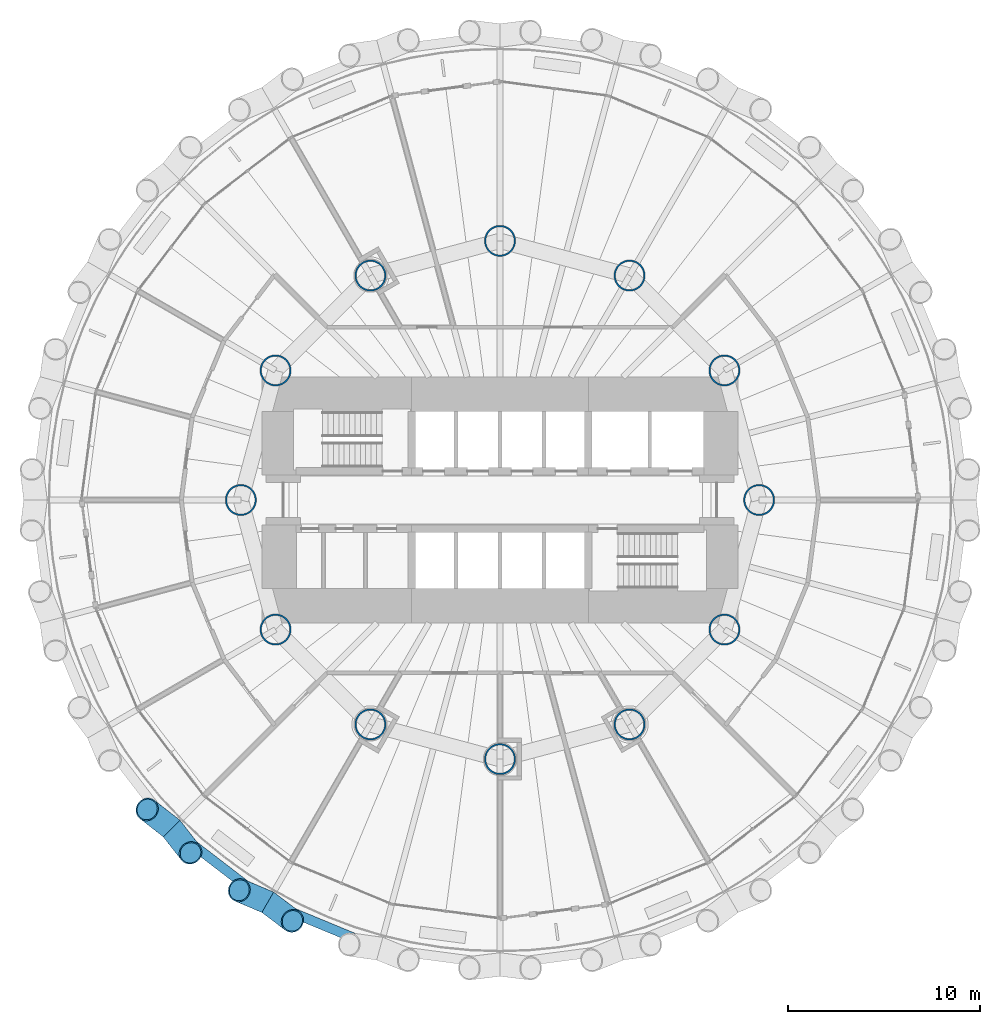
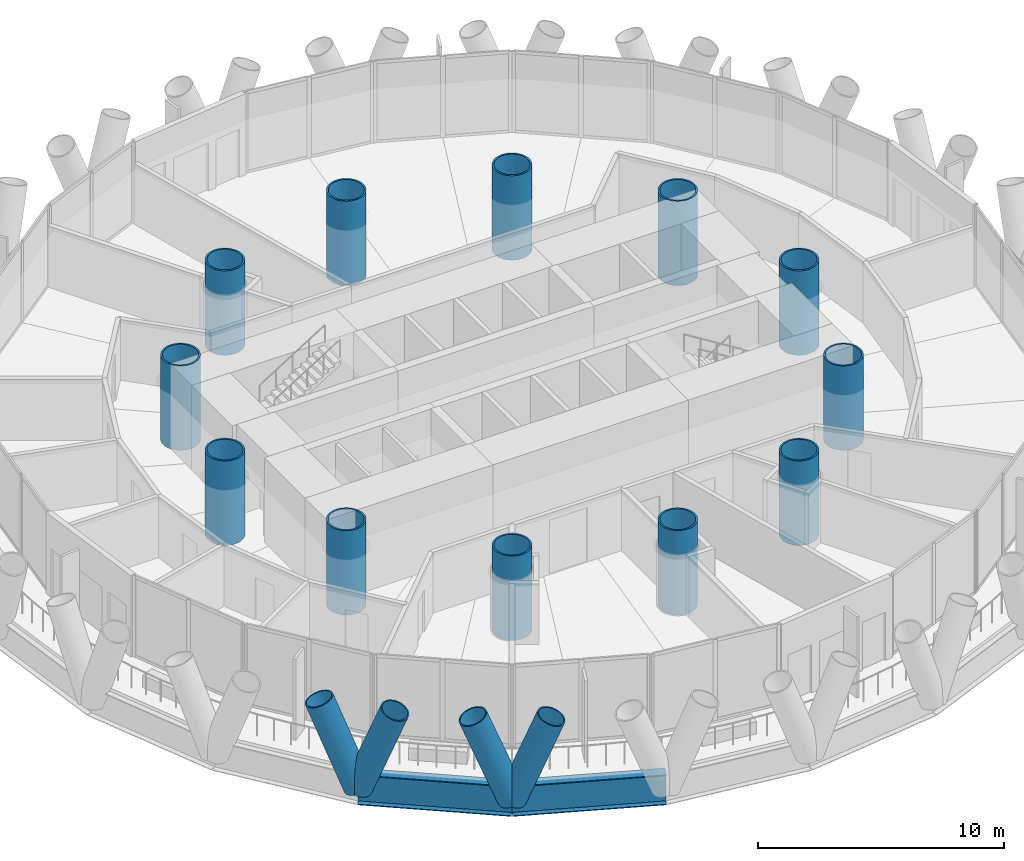
# One storey, part 1 of 16: 12 columns, 4 members, 2 beams.
"""IFC4 building model written with IfcOpenShell, lengths in metres."""

from ifc_helpers import new_model, si_unit, direction, frame, origin, origin_2d, place, context, subcontext, project, spatial, hollow_circle, i_section, extrude, material, material_profile, profile_set, type_object, element, save


model = new_model("IFC4")

# Units and contexts
model_context = context("Model", 3, precision=1e-05, world=origin(), true_north=direction((0.0, 1.0)))
body_context = subcontext(model_context, "Body", "Model", "MODEL_VIEW")
ifc_project = project(units=[si_unit("LENGTHUNIT", "METRE"), si_unit("AREAUNIT", "SQUARE_METRE"), si_unit("VOLUMEUNIT", "CUBIC_METRE"), si_unit("PLANEANGLEUNIT", "RADIAN"), si_unit("MASSUNIT", "GRAM", prefix="KILO")], contexts=[model_context])

# Site, building, storey
site_placement = place(None, origin())
site = spatial("IfcSite", under=ifc_project, at=site_placement, CompositionType="ELEMENT")
building_placement = place(site_placement, origin())
building = spatial("IfcBuilding", under=site, at=building_placement, Name="Qaws Media Tower", CompositionType="ELEMENT")
storey_placement = place(building_placement, frame((0.0, 0.0, 42.800048828125)))
storey = spatial("IfcBuildingStorey", under=building, at=storey_placement, Name="L08", CompositionType="ELEMENT", Elevation=42.800048828125)

# Columns
ifc_material_1 = material(Name="Steel S460", Category="steel")
ifc_material_profile_1 = material_profile(ifc_material_1, hollow_circle(Radius=0.81298828125, WallThickness=0.080078125, at=origin_2d()), Name="CHS 1626x80")
ifc_profile_set_1 = profile_set([ifc_material_profile_1], Name="Steel S460")
column_type = type_object("IfcColumnType", Name="Inner column CHS 1626x80", PredefinedType="COLUMN", material=ifc_profile_set_1)
for number, where, z_axis, x_axis, name in (
    (1, (73.5, 50.0, 0.0), (0.0, 0.0, 1.0), (1.0, 0.0, 0.0), "C6 inner column I01 L08"),
    (2, (71.69140625, 56.75, 0.0), (0.0, 0.0, 1.0), (1.0, 0.0, 0.0), "C6 inner column I02 L08"),
    (3, (66.75, 61.69140625, 0.0), (0.0, 0.0, 1.0), (1.0, 0.0, 0.0), "C6 inner column I03 L08"),
    (4, (60.0, 63.5, 0.0), (0.0, 0.0, 1.0), (1.0, 0.0, 0.0), "C6 inner column I04 L08"),
    (5, (53.25, 61.69140625, 0.0), (0.0, 0.0, 1.0), (1.0, 0.0, 0.0), "C6 inner column I05 L08"),
    (6, (48.30859375, 56.75, 0.0), (0.0, 0.0, 1.0), (1.0, 0.0, 0.0), "C6 inner column I06 L08"),
    (7, (46.5, 50.0, 0.0), (0.0, 0.0, 1.0), (1.0, 0.0, 0.0), "C6 inner column I07 L08"),
    (8, (48.30859375, 43.25, 0.0), (0.0, 0.0, 1.0), (1.0, 0.0, 0.0), "C6 inner column I08 L08"),
    (9, (53.25, 38.30859375, 0.0), (0.0, 0.0, 1.0), (1.0, 0.0, 0.0), "C6 inner column I09 L08"),
    (10, (60.0, 36.5, 0.0), (0.0, 0.0, 1.0), (1.0, 0.0, 0.0), "C6 inner column I10 L08"),
    (11, (66.75, 38.30859375, 0.0), (0.0, 0.0, 1.0), (1.0, 0.0, 0.0), "C6 inner column I11 L08"),
    (12, (71.69140625, 43.25, 0.0), (0.0, 0.0, 1.0), (1.0, 0.0, 0.0), "C6 inner column I12 L08"),
):
    element("IfcColumn", number, at=place(storey_placement, frame(where, z_axis=z_axis, x_axis=x_axis)), inside=storey, type_object=column_type, Name=name, PredefinedType="COLUMN", context=body_context, shape_type="SweptSolid", body=[
        extrude(hollow_circle(Radius=0.81298828125, WallThickness=0.080078125, at=origin_2d()), origin(), (0.0, 0.0, 1.0), 4.199951171875),
    ])

# Members
ifc_material_2 = material(Name="Steel S460", Category="steel")
ifc_material_profile_2 = material_profile(ifc_material_2, hollow_circle(Radius=0.609619140625, WallThickness=0.06005859375, at=origin_2d()), Name="CHS 1219x60")
ifc_profile_set_2 = profile_set([ifc_material_profile_2], Name="Steel S460")
member_type = type_object("IfcMemberType", Name="Diagrid member CHS 1219x60", PredefinedType="USERDEFINED", material=ifc_profile_set_2)
for number, where, z_axis, x_axis, name in (
    (13, (42.887939453125, 32.887939453125, -0.91015625), (0.220280959949, -0.282419836308, 0.933656968455), (0.788511123576, 0.615020493965, 0.0), "DG1 diagrid L08 A16"),
    (14, (42.887939453125, 32.887939453125, -0.91015625), (-0.282419836308, 0.220280959949, 0.933656968455), (-0.615020493965, -0.788511123576, 0.0), "DG1 diagrid L08 B16"),
):
    element("IfcMember", number, at=place(storey_placement, frame(where, z_axis=z_axis, x_axis=x_axis)), inside=storey, type_object=member_type, Name=name, ObjectType="DIAGRID", PredefinedType="USERDEFINED", context=body_context, shape_type="SweptSolid", body=[
        extrude(hollow_circle(Radius=0.609619140625, WallThickness=0.06005859375, at=origin_2d()), origin(), (0.0, 0.0, 1.0), 4.49853515625),
    ])
member_1_placement = place(storey_placement, frame((47.89990234375, 29.042236328125, -0.91015625), z_axis=(0.285891710436, -0.215775520253, 0.933652427172), x_axis=(0.602421476492, 0.79817815346, 0.0)))
element("IfcMember", 15, at=member_1_placement, inside=storey, type_object=member_type, Name="DG1 diagrid L08 A17", ObjectType="DIAGRID", PredefinedType="USERDEFINED", context=body_context, shape_type="SweptSolid", body=[
    extrude(hollow_circle(Radius=0.609619140625, WallThickness=0.06005859375, at=origin_2d()), origin(), (0.0, 0.0, 1.0), 4.498779296875),
])
member_2_placement = place(storey_placement, frame((47.89990234375, 29.042236328125, -0.91015625), z_axis=(-0.329798159412, 0.139690712906, 0.933659294805), x_axis=(-0.390020571531, -0.920806143432, 0.0)))
element("IfcMember", 16, at=member_2_placement, inside=storey, type_object=member_type, Name="DG1 diagrid L08 B17", ObjectType="DIAGRID", PredefinedType="USERDEFINED", context=body_context, shape_type="SweptSolid", body=[
    extrude(hollow_circle(Radius=0.609619140625, WallThickness=0.06005859375, at=origin_2d()), origin(), (0.0, 0.0, 1.0), 4.49853515625),
])

# Beams
ifc_material_3 = material(Name="Steel S460", Category="steel")
ifc_material_profile_3 = material_profile(ifc_material_3, i_section(OverallWidth=0.5, OverallDepth=1.5, WebThickness=0.02001953125, FlangeThickness=0.0400390625, at=origin_2d()), Name="PG 1500x500")
ifc_profile_set_3 = profile_set([ifc_material_profile_3], Name="Steel S460")
beam_type = type_object("IfcBeamType", Name="Edge ring beam PG 1500x500", PredefinedType="BEAM", material=ifc_profile_set_3)
beam_1_placement = place(storey_placement, frame((42.887939453125, 32.887939453125, -0.91015625), z_axis=(0.793361846321, -0.608750343575, 0.0), x_axis=(0.608750343575, 0.793361846321, 0.0)))
element("IfcBeam", 17, at=beam_1_placement, inside=storey, type_object=beam_type, Name="RB4 edge ring beam L08-16", PredefinedType="BEAM", context=body_context, shape_type="SweptSolid", body=[
    extrude(i_section(OverallWidth=0.5, OverallDepth=1.5, WebThickness=0.02001953125, FlangeThickness=0.0400390625, at=origin_2d()), origin(), (0.0, 0.0, 1.0), 6.3173828125),
])
beam_2_placement = place(storey_placement, frame((47.89990234375, 29.042236328125, -0.91015625), z_axis=(0.923874116934, -0.382696506463, 0.0), x_axis=(0.382696506463, 0.923874116934, 0.0)))
element("IfcBeam", 18, at=beam_2_placement, inside=storey, type_object=beam_type, Name="RB4 edge ring beam L08-17", PredefinedType="BEAM", context=body_context, shape_type="SweptSolid", body=[
    extrude(i_section(OverallWidth=0.5, OverallDepth=1.5, WebThickness=0.02001953125, FlangeThickness=0.0400390625, at=origin_2d()), origin(), (0.0, 0.0, 1.0), 6.317626953125),
])

save(model, "model.ifc")
